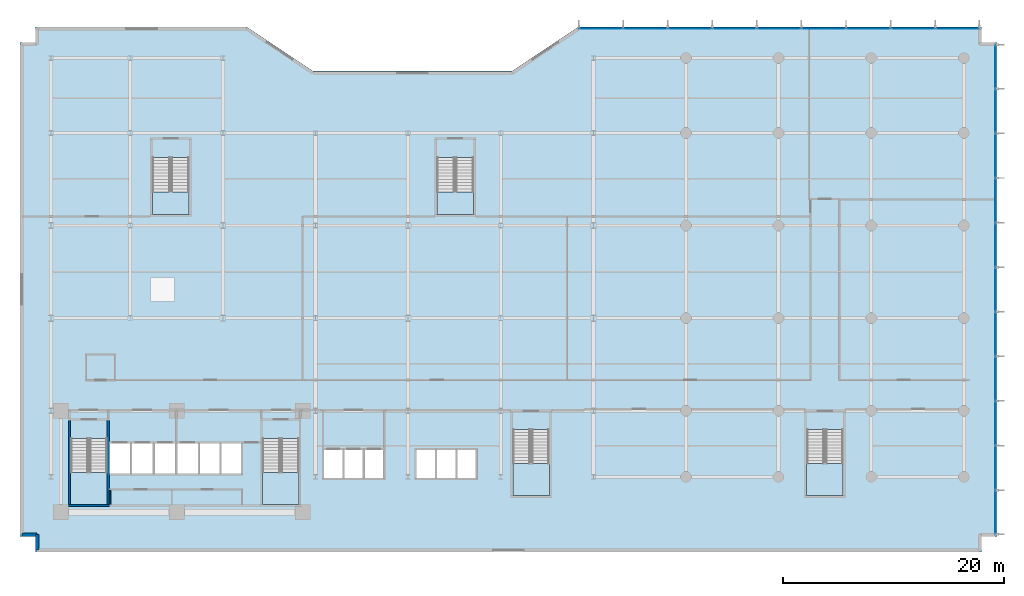
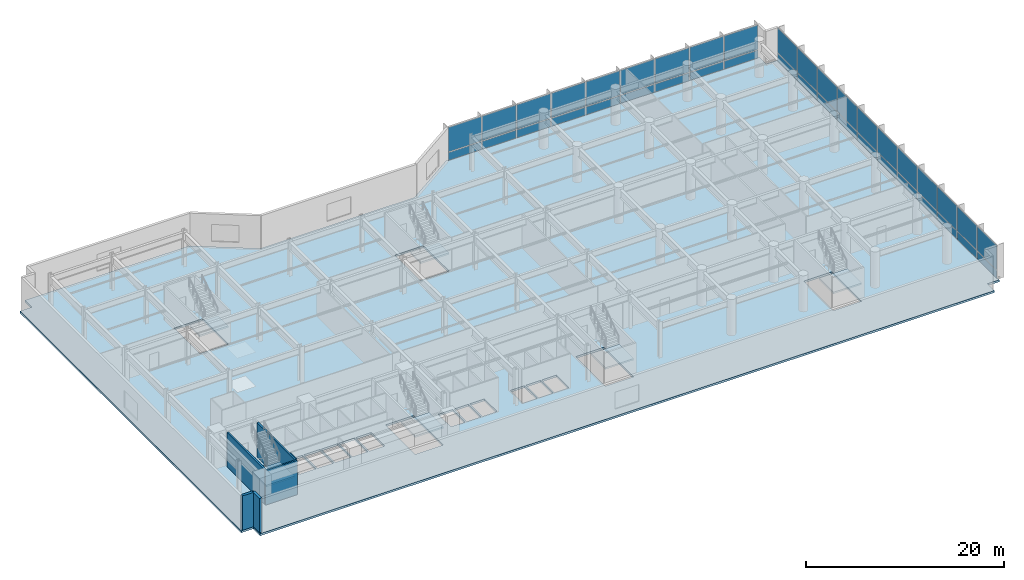
# One storey, part 13 of 26: 40 plates, 7 slabs, 6 walls, 8 elements without a shape of their own.
"""IFC4 building model written with IfcOpenShell, lengths in metres."""

from ifc_helpers import new_model, si_unit, direction, frame, frame_2d, origin, origin_2d, place, context, subcontext, project, spatial, polyline, rectangle, outline, extrude, material, layer, layer_set, type_object, element, aggregate, save


model = new_model("IFC4")

# Units and contexts
model_context = context("Model", 3, precision=1e-05, world=origin(), true_north=direction((0.0, 1.0)))
body_context = subcontext(model_context, "Body", "Model", "MODEL_VIEW")
ifc_project = project(units=[si_unit("LENGTHUNIT", "METRE"), si_unit("AREAUNIT", "SQUARE_METRE"), si_unit("VOLUMEUNIT", "CUBIC_METRE"), si_unit("PLANEANGLEUNIT", "RADIAN"), si_unit("MASSUNIT", "GRAM", prefix="KILO")], contexts=[model_context])

# Site, building, storey
site_placement = place(None, origin())
site = spatial("IfcSite", under=ifc_project, at=site_placement, CompositionType="ELEMENT")
building_placement = place(site_placement, origin())
building = spatial("IfcBuilding", under=site, at=building_placement, Name="Varnakote Quay Hospital", CompositionType="ELEMENT")
storey_placement = place(building_placement, frame((0.0, 0.0, 13.5)))
storey = spatial("IfcBuildingStorey", under=building, at=storey_placement, Name="L03", CompositionType="ELEMENT", Elevation=13.5)

# Curtain wall, plates
ifc_material_1 = material(Name="Anodised aluminium 6063-T6 Bronze", Category="aluminium")
ifc_layer_1 = layer(ifc_material_1, 0.175048828125)
ifc_layer_set_1 = layer_set([ifc_layer_1], Name="Anodised aluminium 6063-T6 Bronze")
curtain_wall_type = type_object("IfcCurtainWallType", Name="CW-SYS-1", PredefinedType="NOTDEFINED", material=ifc_layer_set_1)
curtain_wall_1_placement = place(storey_placement, origin())
curtain_wall_1 = element("IfcCurtainWall", 1, at=curtain_wall_1_placement, inside=storey, type_object=curtain_wall_type, Name="L03 Unitised Bronze Curtain Wall 1", PredefinedType="NOTDEFINED")
ifc_material_2 = material(Name="Double-glazed acoustic laminated glass", Category="glass")
ifc_layer_2 = layer(ifc_material_2, 0.031982421875)
ifc_layer_set_2 = layer_set([ifc_layer_2], Name="Double-glazed acoustic laminated glass")
plate_type = type_object("IfcPlateType", Name="CW-PNL-GLZ-32", PredefinedType="CURTAIN_PANEL", material=ifc_layer_set_2)
plate_1_placement = place(storey_placement, frame((86.840087890625, 2.802978515625, 0.0849609375), z_axis=(0.0, 0.0, 1.0), x_axis=(0.0, 1.0, 0.0)))
plate_1 = element("IfcPlate", 2, at=plate_1_placement, type_object=plate_type, Name="-1-L03-1 panel 1.1", PredefinedType="CURTAIN_PANEL", context=body_context, shape_type="SweptSolid", body=[
    extrude(rectangle(XDim=3.916015625, YDim=0.031982421875, at=origin_2d()), origin(), (0.0, 0.0, 1.0), 0.972412109375),
])
plate_2_placement = place(storey_placement, frame((86.840087890625, 2.802978515625, 1.142578125), z_axis=(0.0, 0.0, 1.0), x_axis=(0.0, 1.0, 0.0)))
plate_2 = element("IfcPlate", 3, at=plate_2_placement, type_object=plate_type, Name="-1-L03-1 panel 1.2", PredefinedType="CURTAIN_PANEL", context=body_context, shape_type="SweptSolid", body=[
    extrude(rectangle(XDim=3.916015625, YDim=0.031982421875, at=origin_2d()), origin(), (0.0, 0.0, 1.0), 3.0224609375),
])
plate_3_placement = place(storey_placement, frame((86.840087890625, 6.825439453125, 0.0849609375), z_axis=(0.0, 0.0, 1.0), x_axis=(0.0, 1.0, 0.0)))
plate_3 = element("IfcPlate", 4, at=plate_3_placement, type_object=plate_type, Name="-1-L03-1 panel 2.1", PredefinedType="CURTAIN_PANEL", context=body_context, shape_type="SweptSolid", body=[
    extrude(rectangle(XDim=3.958740234375, YDim=0.031982421875, at=origin_2d()), origin(), (0.0, 0.0, 1.0), 0.972412109375),
])
plate_4_placement = place(storey_placement, frame((86.840087890625, 6.825439453125, 1.142578125), z_axis=(0.0, 0.0, 1.0), x_axis=(0.0, 1.0, 0.0)))
plate_4 = element("IfcPlate", 5, at=plate_4_placement, type_object=plate_type, Name="-1-L03-1 panel 2.2", PredefinedType="CURTAIN_PANEL", context=body_context, shape_type="SweptSolid", body=[
    extrude(rectangle(XDim=3.958740234375, YDim=0.031982421875, at=origin_2d()), origin(), (0.0, 0.0, 1.0), 3.0224609375),
])
plate_5_placement = place(storey_placement, frame((86.840087890625, 10.869140625, 0.0849609375), z_axis=(0.0, 0.0, 1.0), x_axis=(0.0, 1.0, 0.0)))
plate_5 = element("IfcPlate", 6, at=plate_5_placement, type_object=plate_type, Name="-1-L03-1 panel 3.1", PredefinedType="CURTAIN_PANEL", context=body_context, shape_type="SweptSolid", body=[
    extrude(rectangle(XDim=3.958740234375, YDim=0.031982421875, at=origin_2d()), origin(), (0.0, 0.0, 1.0), 0.972412109375),
])
plate_6_placement = place(storey_placement, frame((86.840087890625, 10.869140625, 1.142578125), z_axis=(0.0, 0.0, 1.0), x_axis=(0.0, 1.0, 0.0)))
plate_6 = element("IfcPlate", 7, at=plate_6_placement, type_object=plate_type, Name="-1-L03-1 panel 3.2", PredefinedType="CURTAIN_PANEL", context=body_context, shape_type="SweptSolid", body=[
    extrude(rectangle(XDim=3.958740234375, YDim=0.031982421875, at=origin_2d()), origin(), (0.0, 0.0, 1.0), 3.0224609375),
])
plate_7_placement = place(storey_placement, frame((86.840087890625, 14.912841796875, 0.0849609375), z_axis=(0.0, 0.0, 1.0), x_axis=(0.0, 1.0, 0.0)))
plate_7 = element("IfcPlate", 8, at=plate_7_placement, type_object=plate_type, Name="-1-L03-1 panel 4.1", PredefinedType="CURTAIN_PANEL", context=body_context, shape_type="SweptSolid", body=[
    extrude(rectangle(XDim=3.958740234375, YDim=0.031982421875, at=origin_2d()), origin(), (0.0, 0.0, 1.0), 0.972412109375),
])
plate_8_placement = place(storey_placement, frame((86.840087890625, 14.912841796875, 1.142578125), z_axis=(0.0, 0.0, 1.0), x_axis=(0.0, 1.0, 0.0)))
plate_8 = element("IfcPlate", 9, at=plate_8_placement, type_object=plate_type, Name="-1-L03-1 panel 4.2", PredefinedType="CURTAIN_PANEL", context=body_context, shape_type="SweptSolid", body=[
    extrude(rectangle(XDim=3.958740234375, YDim=0.031982421875, at=origin_2d()), origin(), (0.0, 0.0, 1.0), 3.0224609375),
])
plate_9_placement = place(storey_placement, frame((86.840087890625, 18.956298828125, 0.0849609375), z_axis=(0.0, 0.0, 1.0), x_axis=(0.0, 1.0, 0.0)))
plate_9 = element("IfcPlate", 10, at=plate_9_placement, type_object=plate_type, Name="-1-L03-1 panel 5.1", PredefinedType="CURTAIN_PANEL", context=body_context, shape_type="SweptSolid", body=[
    extrude(rectangle(XDim=3.958740234375, YDim=0.031982421875, at=origin_2d()), origin(), (0.0, 0.0, 1.0), 0.972412109375),
])
plate_10_placement = place(storey_placement, frame((86.840087890625, 18.956298828125, 1.142578125), z_axis=(0.0, 0.0, 1.0), x_axis=(0.0, 1.0, 0.0)))
plate_10 = element("IfcPlate", 11, at=plate_10_placement, type_object=plate_type, Name="-1-L03-1 panel 5.2", PredefinedType="CURTAIN_PANEL", context=body_context, shape_type="SweptSolid", body=[
    extrude(rectangle(XDim=3.958740234375, YDim=0.031982421875, at=origin_2d()), origin(), (0.0, 0.0, 1.0), 3.0224609375),
])
plate_11_placement = place(storey_placement, frame((86.840087890625, 23.0, 0.0849609375), z_axis=(0.0, 0.0, 1.0), x_axis=(0.0, 1.0, 0.0)))
plate_11 = element("IfcPlate", 12, at=plate_11_placement, type_object=plate_type, Name="-1-L03-1 panel 6.1", PredefinedType="CURTAIN_PANEL", context=body_context, shape_type="SweptSolid", body=[
    extrude(rectangle(XDim=3.958740234375, YDim=0.031982421875, at=origin_2d()), origin(), (0.0, 0.0, 1.0), 0.972412109375),
])
plate_12_placement = place(storey_placement, frame((86.840087890625, 23.0, 1.142578125), z_axis=(0.0, 0.0, 1.0), x_axis=(0.0, 1.0, 0.0)))
plate_12 = element("IfcPlate", 13, at=plate_12_placement, type_object=plate_type, Name="-1-L03-1 panel 6.2", PredefinedType="CURTAIN_PANEL", context=body_context, shape_type="SweptSolid", body=[
    extrude(rectangle(XDim=3.958740234375, YDim=0.031982421875, at=origin_2d()), origin(), (0.0, 0.0, 1.0), 3.0224609375),
])
plate_13_placement = place(storey_placement, frame((86.840087890625, 27.043701171875, 0.0849609375), z_axis=(0.0, 0.0, 1.0), x_axis=(0.0, 1.0, 0.0)))
plate_13 = element("IfcPlate", 14, at=plate_13_placement, type_object=plate_type, Name="-1-L03-1 panel 7.1", PredefinedType="CURTAIN_PANEL", context=body_context, shape_type="SweptSolid", body=[
    extrude(rectangle(XDim=3.958740234375, YDim=0.031982421875, at=origin_2d()), origin(), (0.0, 0.0, 1.0), 0.972412109375),
])
plate_14_placement = place(storey_placement, frame((86.840087890625, 27.043701171875, 1.142578125), z_axis=(0.0, 0.0, 1.0), x_axis=(0.0, 1.0, 0.0)))
plate_14 = element("IfcPlate", 15, at=plate_14_placement, type_object=plate_type, Name="-1-L03-1 panel 7.2", PredefinedType="CURTAIN_PANEL", context=body_context, shape_type="SweptSolid", body=[
    extrude(rectangle(XDim=3.958740234375, YDim=0.031982421875, at=origin_2d()), origin(), (0.0, 0.0, 1.0), 3.0224609375),
])
plate_15_placement = place(storey_placement, frame((86.840087890625, 31.087158203125, 0.0849609375), z_axis=(0.0, 0.0, 1.0), x_axis=(0.0, 1.0, 0.0)))
plate_15 = element("IfcPlate", 16, at=plate_15_placement, type_object=plate_type, Name="-1-L03-1 panel 8.1", PredefinedType="CURTAIN_PANEL", context=body_context, shape_type="SweptSolid", body=[
    extrude(rectangle(XDim=3.958740234375, YDim=0.031982421875, at=origin_2d()), origin(), (0.0, 0.0, 1.0), 0.972412109375),
])
plate_16_placement = place(storey_placement, frame((86.840087890625, 31.087158203125, 1.142578125), z_axis=(0.0, 0.0, 1.0), x_axis=(0.0, 1.0, 0.0)))
plate_16 = element("IfcPlate", 17, at=plate_16_placement, type_object=plate_type, Name="-1-L03-1 panel 8.2", PredefinedType="CURTAIN_PANEL", context=body_context, shape_type="SweptSolid", body=[
    extrude(rectangle(XDim=3.958740234375, YDim=0.031982421875, at=origin_2d()), origin(), (0.0, 0.0, 1.0), 3.0224609375),
])
plate_17_placement = place(storey_placement, frame((86.840087890625, 35.130859375, 0.0849609375), z_axis=(0.0, 0.0, 1.0), x_axis=(0.0, 1.0, 0.0)))
plate_17 = element("IfcPlate", 18, at=plate_17_placement, type_object=plate_type, Name="-1-L03-1 panel 9.1", PredefinedType="CURTAIN_PANEL", context=body_context, shape_type="SweptSolid", body=[
    extrude(rectangle(XDim=3.958740234375, YDim=0.031982421875, at=origin_2d()), origin(), (0.0, 0.0, 1.0), 0.972412109375),
])
plate_18_placement = place(storey_placement, frame((86.840087890625, 35.130859375, 1.142578125), z_axis=(0.0, 0.0, 1.0), x_axis=(0.0, 1.0, 0.0)))
plate_18 = element("IfcPlate", 19, at=plate_18_placement, type_object=plate_type, Name="-1-L03-1 panel 9.2", PredefinedType="CURTAIN_PANEL", context=body_context, shape_type="SweptSolid", body=[
    extrude(rectangle(XDim=3.958740234375, YDim=0.031982421875, at=origin_2d()), origin(), (0.0, 0.0, 1.0), 3.0224609375),
])
plate_19_placement = place(storey_placement, frame((86.840087890625, 39.174560546875, 0.0849609375), z_axis=(0.0, 0.0, 1.0), x_axis=(0.0, 1.0, 0.0)))
plate_19 = element("IfcPlate", 20, at=plate_19_placement, type_object=plate_type, Name="-1-L03-1 panel 10.1", PredefinedType="CURTAIN_PANEL", context=body_context, shape_type="SweptSolid", body=[
    extrude(rectangle(XDim=3.958740234375, YDim=0.031982421875, at=origin_2d()), origin(), (0.0, 0.0, 1.0), 0.972412109375),
])
plate_20_placement = place(storey_placement, frame((86.840087890625, 39.174560546875, 1.142578125), z_axis=(0.0, 0.0, 1.0), x_axis=(0.0, 1.0, 0.0)))
plate_20 = element("IfcPlate", 21, at=plate_20_placement, type_object=plate_type, Name="-1-L03-1 panel 10.2", PredefinedType="CURTAIN_PANEL", context=body_context, shape_type="SweptSolid", body=[
    extrude(rectangle(XDim=3.958740234375, YDim=0.031982421875, at=origin_2d()), origin(), (0.0, 0.0, 1.0), 3.0224609375),
])
plate_21_placement = place(storey_placement, frame((86.840087890625, 43.197021484375, 0.0849609375), z_axis=(0.0, 0.0, 1.0), x_axis=(0.0, 1.0, 0.0)))
plate_21 = element("IfcPlate", 22, at=plate_21_placement, type_object=plate_type, Name="-1-L03-1 panel 11.1", PredefinedType="CURTAIN_PANEL", context=body_context, shape_type="SweptSolid", body=[
    extrude(rectangle(XDim=3.916015625, YDim=0.031982421875, at=origin_2d()), origin(), (0.0, 0.0, 1.0), 0.972412109375),
])
plate_22_placement = place(storey_placement, frame((86.840087890625, 43.197021484375, 1.142578125), z_axis=(0.0, 0.0, 1.0), x_axis=(0.0, 1.0, 0.0)))
plate_22 = element("IfcPlate", 23, at=plate_22_placement, type_object=plate_type, Name="-1-L03-1 panel 11.2", PredefinedType="CURTAIN_PANEL", context=body_context, shape_type="SweptSolid", body=[
    extrude(rectangle(XDim=3.916015625, YDim=0.031982421875, at=origin_2d()), origin(), (0.0, 0.0, 1.0), 3.0224609375),
])
aggregate(curtain_wall_1, [plate_1, plate_2, plate_3, plate_4, plate_5, plate_6, plate_7, plate_8, plate_9, plate_10, plate_11, plate_12, plate_13, plate_14, plate_15, plate_16, plate_17, plate_18, plate_19, plate_20, plate_21, plate_22])

curtain_wall_2_placement = place(storey_placement, origin())
curtain_wall_2 = element("IfcCurtainWall", 24, at=curtain_wall_2_placement, inside=storey, type_object=curtain_wall_type, Name="L03 Unitised Bronze Curtain Wall 2", PredefinedType="NOTDEFINED")
plate_23_placement = place(storey_placement, frame((83.39697265625, 46.639892578125, 0.0849609375), z_axis=(0.0, 0.0, 1.0), x_axis=(-1.0, 0.0, 0.0)))
plate_23 = element("IfcPlate", 25, at=plate_23_placement, type_object=plate_type, Name="-1-L03-2 panel 1.1", PredefinedType="CURTAIN_PANEL", context=body_context, shape_type="SweptSolid", body=[
    extrude(rectangle(XDim=3.916015625, YDim=0.031982421875, at=origin_2d()), origin(), (0.0, 0.0, 1.0), 0.972412109375),
])
plate_24_placement = place(storey_placement, frame((83.39697265625, 46.639892578125, 1.142578125), z_axis=(0.0, 0.0, 1.0), x_axis=(-1.0, 0.0, 0.0)))
plate_24 = element("IfcPlate", 26, at=plate_24_placement, type_object=plate_type, Name="-1-L03-2 panel 1.2", PredefinedType="CURTAIN_PANEL", context=body_context, shape_type="SweptSolid", body=[
    extrude(rectangle(XDim=3.916015625, YDim=0.031982421875, at=origin_2d()), origin(), (0.0, 0.0, 1.0), 3.0224609375),
])
plate_25_placement = place(storey_placement, frame((79.374755859375, 46.639892578125, 0.0849609375), z_axis=(0.0, 0.0, 1.0), x_axis=(-1.0, 0.0, 0.0)))
plate_25 = element("IfcPlate", 27, at=plate_25_placement, type_object=plate_type, Name="-1-L03-2 panel 2.1", PredefinedType="CURTAIN_PANEL", context=body_context, shape_type="SweptSolid", body=[
    extrude(rectangle(XDim=3.95849609375, YDim=0.031982421875, at=origin_2d()), origin(), (0.0, 0.0, 1.0), 0.972412109375),
])
plate_26_placement = place(storey_placement, frame((79.374755859375, 46.639892578125, 1.142578125), z_axis=(0.0, 0.0, 1.0), x_axis=(-1.0, 0.0, 0.0)))
plate_26 = element("IfcPlate", 28, at=plate_26_placement, type_object=plate_type, Name="-1-L03-2 panel 2.2", PredefinedType="CURTAIN_PANEL", context=body_context, shape_type="SweptSolid", body=[
    extrude(rectangle(XDim=3.95849609375, YDim=0.031982421875, at=origin_2d()), origin(), (0.0, 0.0, 1.0), 3.0224609375),
])
plate_27_placement = place(storey_placement, frame((75.331298828125, 46.639892578125, 0.0849609375), z_axis=(0.0, 0.0, 1.0), x_axis=(-1.0, 0.0, 0.0)))
plate_27 = element("IfcPlate", 29, at=plate_27_placement, type_object=plate_type, Name="-1-L03-2 panel 3.1", PredefinedType="CURTAIN_PANEL", context=body_context, shape_type="SweptSolid", body=[
    extrude(rectangle(XDim=3.95849609375, YDim=0.031982421875, at=origin_2d()), origin(), (0.0, 0.0, 1.0), 0.972412109375),
])
plate_28_placement = place(storey_placement, frame((75.331298828125, 46.639892578125, 1.142578125), z_axis=(0.0, 0.0, 1.0), x_axis=(-1.0, 0.0, 0.0)))
plate_28 = element("IfcPlate", 30, at=plate_28_placement, type_object=plate_type, Name="-1-L03-2 panel 3.2", PredefinedType="CURTAIN_PANEL", context=body_context, shape_type="SweptSolid", body=[
    extrude(rectangle(XDim=3.95849609375, YDim=0.031982421875, at=origin_2d()), origin(), (0.0, 0.0, 1.0), 3.0224609375),
])
plate_29_placement = place(storey_placement, frame((71.28759765625, 46.639892578125, 0.0849609375), z_axis=(0.0, 0.0, 1.0), x_axis=(-1.0, 0.0, 0.0)))
plate_29 = element("IfcPlate", 31, at=plate_29_placement, type_object=plate_type, Name="-1-L03-2 panel 4.1", PredefinedType="CURTAIN_PANEL", context=body_context, shape_type="SweptSolid", body=[
    extrude(rectangle(XDim=3.95849609375, YDim=0.031982421875, at=origin_2d()), origin(), (0.0, 0.0, 1.0), 0.972412109375),
])
plate_30_placement = place(storey_placement, frame((71.28759765625, 46.639892578125, 1.142578125), z_axis=(0.0, 0.0, 1.0), x_axis=(-1.0, 0.0, 0.0)))
plate_30 = element("IfcPlate", 32, at=plate_30_placement, type_object=plate_type, Name="-1-L03-2 panel 4.2", PredefinedType="CURTAIN_PANEL", context=body_context, shape_type="SweptSolid", body=[
    extrude(rectangle(XDim=3.95849609375, YDim=0.031982421875, at=origin_2d()), origin(), (0.0, 0.0, 1.0), 3.0224609375),
])
plate_31_placement = place(storey_placement, frame((67.244140625, 46.639892578125, 0.0849609375), z_axis=(0.0, 0.0, 1.0), x_axis=(-1.0, 0.0, 0.0)))
plate_31 = element("IfcPlate", 33, at=plate_31_placement, type_object=plate_type, Name="-1-L03-2 panel 5.1", PredefinedType="CURTAIN_PANEL", context=body_context, shape_type="SweptSolid", body=[
    extrude(rectangle(XDim=3.95849609375, YDim=0.031982421875, at=origin_2d()), origin(), (0.0, 0.0, 1.0), 0.972412109375),
])
plate_32_placement = place(storey_placement, frame((67.244140625, 46.639892578125, 1.142578125), z_axis=(0.0, 0.0, 1.0), x_axis=(-1.0, 0.0, 0.0)))
plate_32 = element("IfcPlate", 34, at=plate_32_placement, type_object=plate_type, Name="-1-L03-2 panel 5.2", PredefinedType="CURTAIN_PANEL", context=body_context, shape_type="SweptSolid", body=[
    extrude(rectangle(XDim=3.95849609375, YDim=0.031982421875, at=origin_2d()), origin(), (0.0, 0.0, 1.0), 3.0224609375),
])
plate_33_placement = place(storey_placement, frame((63.20068359375, 46.639892578125, 0.0849609375), z_axis=(0.0, 0.0, 1.0), x_axis=(-1.0, 0.0, 0.0)))
plate_33 = element("IfcPlate", 35, at=plate_33_placement, type_object=plate_type, Name="-1-L03-2 panel 6.1", PredefinedType="CURTAIN_PANEL", context=body_context, shape_type="SweptSolid", body=[
    extrude(rectangle(XDim=3.95849609375, YDim=0.031982421875, at=origin_2d()), origin(), (0.0, 0.0, 1.0), 0.972412109375),
])
plate_34_placement = place(storey_placement, frame((63.20068359375, 46.639892578125, 1.142578125), z_axis=(0.0, 0.0, 1.0), x_axis=(-1.0, 0.0, 0.0)))
plate_34 = element("IfcPlate", 36, at=plate_34_placement, type_object=plate_type, Name="-1-L03-2 panel 6.2", PredefinedType="CURTAIN_PANEL", context=body_context, shape_type="SweptSolid", body=[
    extrude(rectangle(XDim=3.95849609375, YDim=0.031982421875, at=origin_2d()), origin(), (0.0, 0.0, 1.0), 3.0224609375),
])
plate_35_placement = place(storey_placement, frame((59.1572265625, 46.639892578125, 0.0849609375), z_axis=(0.0, 0.0, 1.0), x_axis=(-1.0, 0.0, 0.0)))
plate_35 = element("IfcPlate", 37, at=plate_35_placement, type_object=plate_type, Name="-1-L03-2 panel 7.1", PredefinedType="CURTAIN_PANEL", context=body_context, shape_type="SweptSolid", body=[
    extrude(rectangle(XDim=3.95849609375, YDim=0.031982421875, at=origin_2d()), origin(), (0.0, 0.0, 1.0), 0.972412109375),
])
plate_36_placement = place(storey_placement, frame((59.1572265625, 46.639892578125, 1.142578125), z_axis=(0.0, 0.0, 1.0), x_axis=(-1.0, 0.0, 0.0)))
plate_36 = element("IfcPlate", 38, at=plate_36_placement, type_object=plate_type, Name="-1-L03-2 panel 7.2", PredefinedType="CURTAIN_PANEL", context=body_context, shape_type="SweptSolid", body=[
    extrude(rectangle(XDim=3.95849609375, YDim=0.031982421875, at=origin_2d()), origin(), (0.0, 0.0, 1.0), 3.0224609375),
])
plate_37_placement = place(storey_placement, frame((55.11376953125, 46.639892578125, 0.0849609375), z_axis=(0.0, 0.0, 1.0), x_axis=(-1.0, 0.0, 0.0)))
plate_37 = element("IfcPlate", 39, at=plate_37_placement, type_object=plate_type, Name="-1-L03-2 panel 8.1", PredefinedType="CURTAIN_PANEL", context=body_context, shape_type="SweptSolid", body=[
    extrude(rectangle(XDim=3.95849609375, YDim=0.031982421875, at=origin_2d()), origin(), (0.0, 0.0, 1.0), 0.972412109375),
])
plate_38_placement = place(storey_placement, frame((55.11376953125, 46.639892578125, 1.142578125), z_axis=(0.0, 0.0, 1.0), x_axis=(-1.0, 0.0, 0.0)))
plate_38 = element("IfcPlate", 40, at=plate_38_placement, type_object=plate_type, Name="-1-L03-2 panel 8.2", PredefinedType="CURTAIN_PANEL", context=body_context, shape_type="SweptSolid", body=[
    extrude(rectangle(XDim=3.95849609375, YDim=0.031982421875, at=origin_2d()), origin(), (0.0, 0.0, 1.0), 3.0224609375),
])
plate_39_placement = place(storey_placement, frame((51.09130859375, 46.639892578125, 0.0849609375), z_axis=(0.0, 0.0, 1.0), x_axis=(-1.0, 0.0, 0.0)))
plate_39 = element("IfcPlate", 41, at=plate_39_placement, type_object=plate_type, Name="-1-L03-2 panel 9.1", PredefinedType="CURTAIN_PANEL", context=body_context, shape_type="SweptSolid", body=[
    extrude(rectangle(XDim=3.916015625, YDim=0.031982421875, at=origin_2d()), origin(), (0.0, 0.0, 1.0), 0.972412109375),
])
plate_40_placement = place(storey_placement, frame((51.09130859375, 46.639892578125, 1.142578125), z_axis=(0.0, 0.0, 1.0), x_axis=(-1.0, 0.0, 0.0)))
plate_40 = element("IfcPlate", 42, at=plate_40_placement, type_object=plate_type, Name="-1-L03-2 panel 9.2", PredefinedType="CURTAIN_PANEL", context=body_context, shape_type="SweptSolid", body=[
    extrude(rectangle(XDim=3.916015625, YDim=0.031982421875, at=origin_2d()), origin(), (0.0, 0.0, 1.0), 3.0224609375),
])
aggregate(curtain_wall_2, [plate_23, plate_24, plate_25, plate_26, plate_27, plate_28, plate_29, plate_30, plate_31, plate_32, plate_33, plate_34, plate_35, plate_36, plate_37, plate_38, plate_39, plate_40])

# Slab
ifc_material_3 = material(Name="Concrete N50 (f'c 50 MPa)", Category="concrete")
ifc_layer_3 = layer(ifc_material_3, 0.25)
ifc_layer_set_3 = layer_set([ifc_layer_3], Name="Concrete N50 (f'c 50 MPa)")
slab_type_1 = type_object("IfcSlabType", Name="SLB-POD-250", PredefinedType="FLOOR", material=ifc_layer_set_3)
slab_1_placement = place(storey_placement, frame((0.0, 0.0, -0.25)))
element("IfcSlab", 43, at=slab_1_placement, inside=storey, type_object=slab_type_1, Name="L03 Primary Floor Slab", PredefinedType="FLOOR", context=body_context, shape_type="SweptSolid", body=[
    extrude(outline(polyline([(-1.60009765625, 0.60009765625), (-0.199951171875, 0.60009765625), (-0.199951171875, -0.800048828125), (85.60009765625, -0.800048828125), (85.60009765625, 0.60009765625), (87.0, 0.60009765625), (87.0, 45.39990234375), (85.60009765625, 45.39990234375), (85.60009765625, 46.800048828125), (49.0, 46.800048828125), (43.0, 42.800048828125), (25.0, 42.800048828125), (19.0, 46.800048828125), (-0.199951171875, 46.800048828125), (-0.199951171875, 45.39990234375), (-1.60009765625, 45.39990234375), (-1.60009765625, 0.60009765625)]), holes=[polyline([(3.0, 3.5), (6.300048828125, 3.5), (6.300048828125, 9.49951171875), (3.0, 9.49951171875), (3.0, 3.5)]), polyline([(20.39990234375, 3.5), (23.699951171875, 3.5), (23.699951171875, 9.49951171875), (20.39990234375, 9.49951171875), (20.39990234375, 3.5)]), polyline([(43.10009765625, 4.300048828125), (46.39990234375, 4.300048828125), (46.39990234375, 10.29931640625), (43.10009765625, 10.29931640625), (43.10009765625, 4.300048828125)]), polyline([(10.39990234375, 29.800048828125), (13.739990234375, 29.800048828125), (13.739990234375, 34.9794921875), (10.39990234375, 34.9794921875), (10.39990234375, 29.800048828125)]), polyline([(36.199951171875, 29.800048828125), (39.5400390625, 29.800048828125), (39.5400390625, 34.9794921875), (36.199951171875, 34.9794921875), (36.199951171875, 29.800048828125)]), polyline([(69.75, 4.300048828125), (73.050048828125, 4.300048828125), (73.050048828125, 10.29931640625), (69.75, 10.29931640625), (69.75, 4.300048828125)]), polyline([(6.5, 6.300048828125), (8.39990234375, 6.300048828125), (8.39990234375, 9.050048828125), (6.5, 9.050048828125), (6.5, 6.300048828125)]), polyline([(8.550048828125, 6.300048828125), (10.449951171875, 6.300048828125), (10.449951171875, 9.050048828125), (8.550048828125, 9.050048828125), (8.550048828125, 6.300048828125)]), polyline([(10.60009765625, 6.300048828125), (12.5, 6.300048828125), (12.5, 9.050048828125), (10.60009765625, 9.050048828125), (10.60009765625, 6.300048828125)]), polyline([(12.64990234375, 6.300048828125), (14.550048828125, 6.300048828125), (14.550048828125, 9.050048828125), (12.64990234375, 9.050048828125), (12.64990234375, 6.300048828125)]), polyline([(14.699951171875, 6.300048828125), (16.5, 6.300048828125), (16.5, 9.050048828125), (14.699951171875, 9.050048828125), (14.699951171875, 6.300048828125)]), polyline([(16.64990234375, 6.300048828125), (18.449951171875, 6.300048828125), (18.449951171875, 9.050048828125), (16.64990234375, 9.050048828125), (16.64990234375, 6.300048828125)]), polyline([(25.949951171875, 5.89990234375), (27.64990234375, 5.89990234375), (27.64990234375, 8.449951171875), (25.949951171875, 8.449951171875), (25.949951171875, 5.89990234375)]), polyline([(27.800048828125, 5.89990234375), (29.5, 5.89990234375), (29.5, 8.449951171875), (27.800048828125, 8.449951171875), (27.800048828125, 5.89990234375)]), polyline([(29.64990234375, 5.89990234375), (31.35009765625, 5.89990234375), (31.35009765625, 8.449951171875), (29.64990234375, 8.449951171875), (29.64990234375, 5.89990234375)]), polyline([(34.35009765625, 5.89990234375), (36.050048828125, 5.89990234375), (36.050048828125, 8.449951171875), (34.35009765625, 8.449951171875), (34.35009765625, 5.89990234375)]), polyline([(36.199951171875, 5.89990234375), (37.89990234375, 5.89990234375), (37.89990234375, 8.449951171875), (36.199951171875, 8.449951171875), (36.199951171875, 5.89990234375)]), polyline([(38.050048828125, 5.89990234375), (39.75, 5.89990234375), (39.75, 8.449951171875), (38.050048828125, 8.449951171875), (38.050048828125, 5.89990234375)])]), origin(), (0.0, 0.0, 1.0), 0.25),
])

# Stair, slab
ifc_material_4 = material(Name="Concrete N40 (f'c 40 MPa)", Category="concrete")
stair_type_1 = type_object("IfcStairType", Name="STR-CORE-1580", PredefinedType="HALF_TURN_STAIR", material=ifc_material_4)
stair_1_placement = place(storey_placement, origin())
stair_1 = element("IfcStair", 44, at=stair_1_placement, inside=storey, type_object=stair_type_1, Name="L03 Fire-Isolated Exit Stair ST-01", PredefinedType="HALF_TURN_STAIR")
ifc_material_5 = material(Name="Concrete N40 (f'c 40 MPa)", Category="concrete")
ifc_layer_4 = layer(ifc_material_5, 0.199951171875)
ifc_layer_set_4 = layer_set([ifc_layer_4], Name="Concrete N40 (f'c 40 MPa)")
slab_type_2 = type_object("IfcSlabType", Name="SLB-STAIR-LND-200", PredefinedType="LANDING", material=ifc_layer_set_4)
slab_2_placement = place(storey_placement, frame((0.0, 0.0, 2.050048828125)))
slab_2 = element("IfcSlab", 45, at=slab_2_placement, type_object=slab_type_2, Name="ST-01 landing 1", PredefinedType="LANDING", context=body_context, shape_type="SweptSolid", body=[
    extrude(outline(polyline([(3.0, 6.419921875), (3.0, 3.5), (6.300048828125, 3.5), (6.300048828125, 6.419921875), (3.0, 6.419921875)])), origin(), (0.0, 0.0, 1.0), 0.199951171875),
])
aggregate(stair_1, [slab_2])

stair_2_placement = place(storey_placement, origin())
stair_2 = element("IfcStair", 46, at=stair_2_placement, inside=storey, type_object=stair_type_1, Name="L03 Fire-Isolated Exit Stair ST-02", PredefinedType="HALF_TURN_STAIR")
slab_3_placement = place(storey_placement, frame((0.0, 0.0, 2.050048828125)))
slab_3 = element("IfcSlab", 47, at=slab_3_placement, type_object=slab_type_2, Name="ST-02 landing 1", PredefinedType="LANDING", context=body_context, shape_type="SweptSolid", body=[
    extrude(outline(polyline([(20.39990234375, 6.419921875), (20.39990234375, 3.5), (23.699951171875, 3.5), (23.699951171875, 6.419921875), (20.39990234375, 6.419921875)])), origin(), (0.0, 0.0, 1.0), 0.199951171875),
])
aggregate(stair_2, [slab_3])

stair_3_placement = place(storey_placement, origin())
stair_3 = element("IfcStair", 48, at=stair_3_placement, inside=storey, type_object=stair_type_1, Name="L03 Fire-Isolated Exit Stair ST-03", PredefinedType="HALF_TURN_STAIR")
slab_4_placement = place(storey_placement, frame((0.0, 0.0, 2.050048828125)))
slab_4 = element("IfcSlab", 49, at=slab_4_placement, type_object=slab_type_2, Name="ST-03 landing 1", PredefinedType="LANDING", context=body_context, shape_type="SweptSolid", body=[
    extrude(outline(polyline([(43.10009765625, 7.219970703125), (43.10009765625, 4.300048828125), (46.39990234375, 4.300048828125), (46.39990234375, 7.219970703125), (43.10009765625, 7.219970703125)])), origin(), (0.0, 0.0, 1.0), 0.199951171875),
])
aggregate(stair_3, [slab_4])

ifc_material_6 = material(Name="Concrete N40 (f'c 40 MPa)", Category="concrete")
stair_type_2 = type_object("IfcStairType", Name="STR-POD-1600", PredefinedType="HALF_TURN_STAIR", material=ifc_material_6)
stair_4_placement = place(storey_placement, origin())
stair_4 = element("IfcStair", 50, at=stair_4_placement, inside=storey, type_object=stair_type_2, Name="L03 Podium Diagnostic Stair ST-04", PredefinedType="HALF_TURN_STAIR")
slab_5_placement = place(storey_placement, frame((0.0, 0.0, 2.050048828125)))
slab_5 = element("IfcSlab", 51, at=slab_5_placement, type_object=slab_type_2, Name="ST-04 landing 1", PredefinedType="LANDING", context=body_context, shape_type="SweptSolid", body=[
    extrude(outline(polyline([(10.39990234375, 31.844970703125), (10.39990234375, 29.800048828125), (13.739990234375, 29.800048828125), (13.739990234375, 31.844970703125), (10.39990234375, 31.844970703125)])), origin(), (0.0, 0.0, 1.0), 0.199951171875),
])
aggregate(stair_4, [slab_5])

stair_5_placement = place(storey_placement, origin())
stair_5 = element("IfcStair", 52, at=stair_5_placement, inside=storey, type_object=stair_type_2, Name="L03 Podium Surgical Stair ST-05", PredefinedType="HALF_TURN_STAIR")
slab_6_placement = place(storey_placement, frame((0.0, 0.0, 2.050048828125)))
slab_6 = element("IfcSlab", 53, at=slab_6_placement, type_object=slab_type_2, Name="ST-05 landing 1", PredefinedType="LANDING", context=body_context, shape_type="SweptSolid", body=[
    extrude(outline(polyline([(36.199951171875, 31.844970703125), (36.199951171875, 29.800048828125), (39.5400390625, 29.800048828125), (39.5400390625, 31.844970703125), (36.199951171875, 31.844970703125)])), origin(), (0.0, 0.0, 1.0), 0.199951171875),
])
aggregate(stair_5, [slab_6])

stair_6_placement = place(storey_placement, origin())
stair_6 = element("IfcStair", 54, at=stair_6_placement, inside=storey, type_object=stair_type_1, Name="L03 East Podium Fire-Isolated Exit Stair ST-06", PredefinedType="HALF_TURN_STAIR")
slab_7_placement = place(storey_placement, frame((0.0, 0.0, 2.050048828125)))
slab_7 = element("IfcSlab", 55, at=slab_7_placement, type_object=slab_type_2, Name="ST-06 landing 1", PredefinedType="LANDING", context=body_context, shape_type="SweptSolid", body=[
    extrude(outline(polyline([(69.75, 7.219970703125), (69.75, 4.300048828125), (73.050048828125, 4.300048828125), (73.050048828125, 7.219970703125), (69.75, 7.219970703125)])), origin(), (0.0, 0.0, 1.0), 0.199951171875),
])
aggregate(stair_6, [slab_7])

# Walls
ifc_material_7 = material(Name="Precast concrete N50 (f'c 50 MPa)", Category="concrete")
ifc_layer_5 = layer(ifc_material_7, 0.300048828125)
ifc_layer_set_5 = layer_set([ifc_layer_5], Name="Precast concrete N50 (f'c 50 MPa)")
wall_type_1 = type_object("IfcWallType", Name="WL-EXT-BRICK-300", PredefinedType="STANDARD", material=ifc_layer_set_5)
for number, where, z_axis, x_axis, name in (
    (56, (-0.0400390625, 0.760009765625, 0.0), (0.0, 0.0, 1.0), (0.0, -1.0, 0.0), "L03 Brick-Faced Precast Exterior Wall"),
    (57, (-1.43994140625, 0.760009765625, 0.0), (0.0, 0.0, 1.0), (1.0, 0.0, 0.0), "L03 Brick-Faced Precast Exterior Wall"),
):
    element("IfcWall", number, at=place(storey_placement, frame(where, z_axis=z_axis, x_axis=x_axis)), inside=storey, type_object=wall_type_1, Name=name, PredefinedType="STANDARD", context=body_context, shape_type="SweptSolid", body=[
        extrude(rectangle(XDim=1.39990234375, YDim=0.300048828125, at=frame_2d((0.699951171875, 0.0))), origin(), (0.0, 0.0, 1.0), 4.25),
    ])
ifc_material_8 = material(Name="Concrete N50 (f'c 50 MPa)", Category="concrete")
ifc_layer_6 = layer(ifc_material_8, 0.199951171875)
ifc_layer_set_6 = layer_set([ifc_layer_6], Name="Concrete N50 (f'c 50 MPa)")
wall_type_2 = type_object("IfcWallType", Name="WL-SHAFT-N50-200", PredefinedType="SHEAR", material=ifc_layer_set_6)
wall_1_placement = place(storey_placement, frame((2.800048828125, 3.39990234375, 0.0), z_axis=(0.0, 0.0, 1.0), x_axis=(1.0, 0.0, 0.0)))
element("IfcWall", 58, at=wall_1_placement, inside=storey, type_object=wall_type_2, Name="L03 Stair ST1 South Shaft Wall", PredefinedType="SHEAR", context=body_context, shape_type="SweptSolid", body=[
    extrude(rectangle(XDim=3.699951171875, YDim=0.199951171875, at=frame_2d((1.85009765625, 0.0))), origin(), (0.0, 0.0, 1.0), 4.25),
])
for number, where, z_axis, x_axis, name in (
    (59, (2.89990234375, 3.5, 0.0), (0.0, 0.0, 1.0), (0.0, 1.0, 0.0), "L03 Stair ST1 West Shaft Wall"),
    (60, (6.39990234375, 3.5, 0.0), (0.0, 0.0, 1.0), (0.0, 1.0, 0.0), "L03 Stair ST1 East Shaft Wall"),
):
    element("IfcWall", number, at=place(storey_placement, frame(where, z_axis=z_axis, x_axis=x_axis)), inside=storey, type_object=wall_type_2, Name=name, PredefinedType="SHEAR", context=body_context, shape_type="SweptSolid", body=[
        extrude(rectangle(XDim=7.60009765625, YDim=0.199951171875, at=frame_2d((3.800048828125, 0.0))), origin(), (0.0, 0.0, 1.0), 4.25),
    ])
ifc_material_9 = material(Name="Smoke-proof clinical partition", Category="gypsum")
ifc_layer_7 = layer(ifc_material_9, 0.1201171875)
ifc_layer_set_7 = layer_set([ifc_layer_7], Name="Smoke-proof clinical partition")
wall_type_3 = type_object("IfcWallType", Name="WL-SMOKE-120", PredefinedType="PARTITIONING", material=ifc_layer_set_7)
wall_2_placement = place(storey_placement, frame((6.56005859375, 3.52001953125, 0.0), z_axis=(0.0, 0.0, 1.0), x_axis=(0.0, 1.0, 0.0)))
element("IfcWall", 61, at=wall_2_placement, inside=storey, type_object=wall_type_3, Name="L03 Core South Service West Wall", PredefinedType="PARTITIONING", context=body_context, shape_type="SweptSolid", body=[
    extrude(rectangle(XDim=1.260009765625, YDim=0.1201171875, at=frame_2d((0.6298828125, 0.0))), origin(), (0.0, 0.0, 1.0), 4.25),
])

save(model, "model.ifc")
